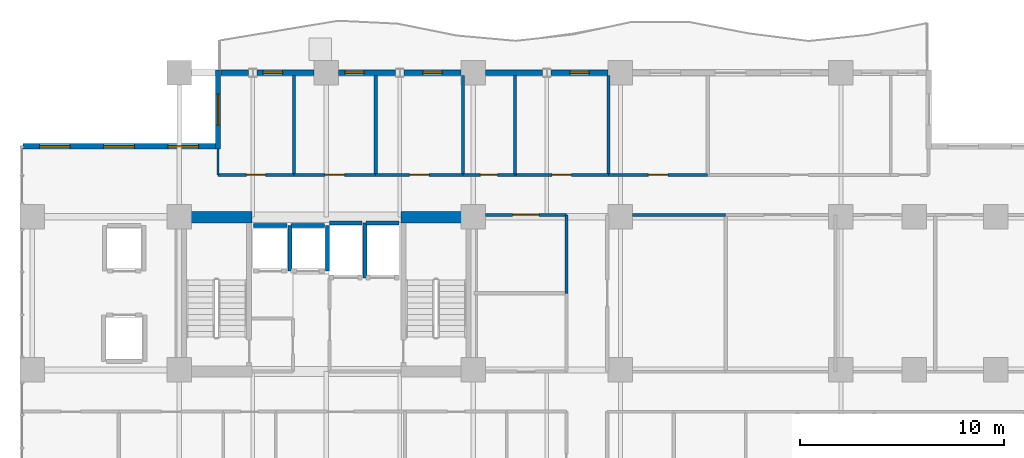
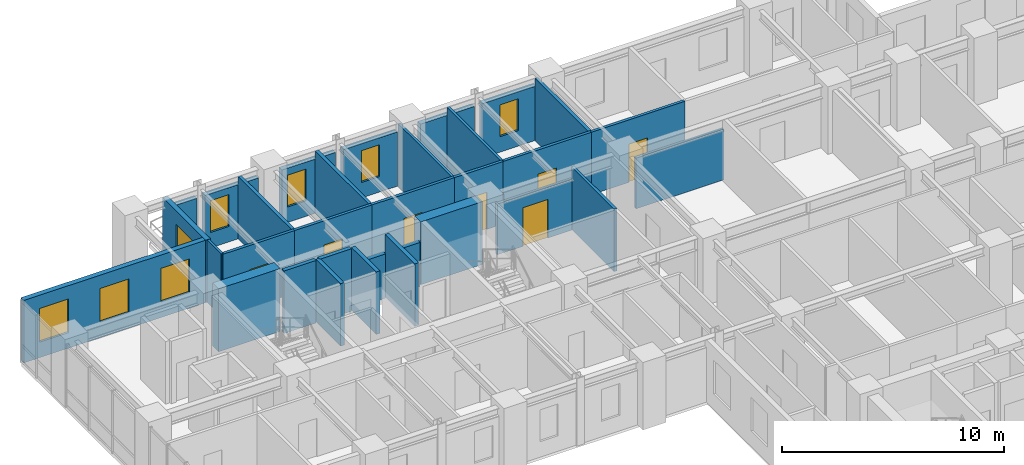
# One storey, part 12 of 18: 32 walls, 8 windows, 7 doors, 15 openings.
"""IFC4 building model written with IfcOpenShell, lengths in metres."""

from ifc_helpers import new_model, si_unit, direction, frame, frame_2d, origin, place, context, subcontext, project, spatial, rectangle, extrude, material, layer, layer_set, type_object, element, fill, save


model = new_model("IFC4")

# Units and contexts
model_context = context("Model", 3, precision=1e-05, world=origin(), true_north=direction((0.0, 1.0)))
body_context = subcontext(model_context, "Body", "Model", "MODEL_VIEW")
ifc_project = project(units=[si_unit("LENGTHUNIT", "METRE"), si_unit("AREAUNIT", "SQUARE_METRE"), si_unit("VOLUMEUNIT", "CUBIC_METRE"), si_unit("PLANEANGLEUNIT", "RADIAN"), si_unit("MASSUNIT", "GRAM", prefix="KILO")], contexts=[model_context])

# Site, building, storey
site_placement = place(None, origin())
site = spatial("IfcSite", under=ifc_project, at=site_placement, CompositionType="ELEMENT")
building_placement = place(site_placement, origin())
building = spatial("IfcBuilding", under=site, at=building_placement, Name="Kaliganga Portal Commons", CompositionType="ELEMENT")
storey_placement = place(building_placement, frame((0.0, 0.0, 123.0)))
storey = spatial("IfcBuildingStorey", under=building, at=storey_placement, Name="L31", CompositionType="ELEMENT", Elevation=123.0)

# Walls
ifc_material_1 = material(Name="Concrete C60/75", Category="concrete")
ifc_layer_1 = layer(ifc_material_1, 0.550048828125)
ifc_layer_set_1 = layer_set([ifc_layer_1], Name="Concrete C60/75")
wall_type_1 = type_object("IfcWallType", Name="WL-CORE-550", PredefinedType="SHEAR", material=ifc_layer_set_1)
for number, where, z_axis, x_axis, name in (
    (1, (14.75, 36.125, 0.0), (0.0, 0.0, 1.0), (1.0, 0.0, 0.0), "Core A N-West Shear Wall L31"),
    (2, (25.25, 36.125, 0.0), (0.0, 0.0, 1.0), (1.0, 0.0, 0.0), "Core A N-East Shear Wall L31"),
):
    element("IfcWall", number, at=place(storey_placement, frame(where, z_axis=z_axis, x_axis=x_axis)), inside=storey, type_object=wall_type_1, Name=name, PredefinedType="SHEAR", context=body_context, shape_type="SweptSolid", body=[
        extrude(rectangle(XDim=3.199951171875, YDim=0.550048828125, at=frame_2d((1.60009765625, 0.0))), origin(), (0.0, 0.0, 1.0), 3.449951171875),
    ])

# Wall, opening, window
ifc_material_2 = material(Name="Insulated Aluminium-Clad Spandrel Assembly", Category="aluminium")
ifc_layer_2 = layer(ifc_material_2, 0.260009765625)
ifc_layer_set_2 = layer_set([ifc_layer_2], Name="Insulated Aluminium-Clad Spandrel Assembly")
wall_type_2 = type_object("IfcWallType", Name="WL-EXT-SPAND-260", PredefinedType="STANDARD", material=ifc_layer_set_2)
wall_1_placement = place(storey_placement, frame((32.60546875, 43.199951171875, 0.0), z_axis=(0.0, 0.0, 1.0), x_axis=(1.0, 0.0, 0.0)))
wall_1 = element("IfcWall", 3, at=wall_1_placement, inside=storey, type_object=wall_type_2, Name="Exterior Envelope Wall L31 P1-E06-S3", PredefinedType="STANDARD", context=body_context, shape_type="SweptSolid", body=[
    extrude(rectangle(XDim=2.79345703125, YDim=0.260009765625, at=frame_2d((1.396728515625, 0.0))), origin(), (0.0, 0.0, 1.0), 2.97998046875),
])
opening_1_placement = place(wall_1_placement, frame((0.921875, 0.0, 0.85009765625)))
opening_1 = element("IfcOpeningElement", 4, at=opening_1_placement, cuts=wall_1, Name="Opening W-04", PredefinedType="OPENING", context=body_context, shape_type="SweptSolid", body=[
    extrude(rectangle(XDim=0.949951171875, YDim=1.75, at=frame_2d((0.47509765625, 0.875))), frame((0.0, 0.14013671875, 0.0), z_axis=(0.0, -1.0, 0.0), x_axis=(1.0, 0.0, 0.0)), (0.0, 0.0, 1.0), 0.280029296875),
])
ifc_material_3 = material(Name="Thermally Broken Aluminium and Low-E Double Glazing", Category="aluminium")
window_type_1 = type_object("IfcWindowType", Name="WIN-NARROW-950", PartitioningType="SINGLE_PANEL", PredefinedType="WINDOW", material=ifc_material_3)
window_1_placement = place(opening_1_placement, origin())
window_1 = element("IfcWindow", 5, at=window_1_placement, inside=storey, type_object=window_type_1, Name="Facade Window L31-P1E06S3-00", OverallHeight=1.75, OverallWidth=0.949951171875, PartitioningType="SINGLE_PANEL", PredefinedType="WINDOW", context=body_context, shape_type="SweptSolid", body=[
    extrude(rectangle(XDim=0.949951171875, YDim=1.75, at=frame_2d((0.47509765625, 0.875))), frame((0.0, 0.030029296875, 0.0), z_axis=(0.0, -1.0, 0.0), x_axis=(1.0, 0.0, 0.0)), (0.0, 0.0, 1.0), 0.06005859375),
])
fill(opening_1, window_1)

# Wall
wall_2_placement = place(storey_placement, frame((29.40087890625, 43.199951171875, 0.0), z_axis=(0.0, 0.0, 1.0), x_axis=(1.0, 0.0, 0.0)))
element("IfcWall", 6, at=wall_2_placement, inside=storey, type_object=wall_type_2, Name="Exterior Envelope Wall L31 P1-E06-S4", PredefinedType="STANDARD", context=body_context, shape_type="SweptSolid", body=[
    extrude(rectangle(XDim=2.793701171875, YDim=0.260009765625, at=frame_2d((1.39697265625, 0.0))), origin(), (0.0, 0.0, 1.0), 2.97998046875),
])

# Wall, opening, window
wall_3_placement = place(storey_placement, frame((25.405517578125, 43.199951171875, 0.0), z_axis=(0.0, 0.0, 1.0), x_axis=(1.0, 0.0, 0.0)))
wall_3 = element("IfcWall", 7, at=wall_3_placement, inside=storey, type_object=wall_type_2, Name="Exterior Envelope Wall L31 P1-E06-S5", PredefinedType="STANDARD", context=body_context, shape_type="SweptSolid", body=[
    extrude(rectangle(XDim=2.79345703125, YDim=0.260009765625, at=frame_2d((1.396728515625, 0.0))), origin(), (0.0, 0.0, 1.0), 2.97998046875),
])
opening_2_placement = place(wall_3_placement, frame((0.921875, 0.0, 0.85009765625)))
opening_2 = element("IfcOpeningElement", 8, at=opening_2_placement, cuts=wall_3, Name="Opening W-04", PredefinedType="OPENING", context=body_context, shape_type="SweptSolid", body=[
    extrude(rectangle(XDim=0.949951171875, YDim=1.75, at=frame_2d((0.47509765625, 0.875))), frame((0.0, 0.14013671875, 0.0), z_axis=(0.0, -1.0, 0.0), x_axis=(1.0, 0.0, 0.0)), (0.0, 0.0, 1.0), 0.280029296875),
])
window_2_placement = place(opening_2_placement, origin())
window_2 = element("IfcWindow", 9, at=window_2_placement, inside=storey, type_object=window_type_1, Name="Facade Window L31-P1E06S5-00", OverallHeight=1.75, OverallWidth=0.949951171875, PartitioningType="SINGLE_PANEL", PredefinedType="WINDOW", context=body_context, shape_type="SweptSolid", body=[
    extrude(rectangle(XDim=0.949951171875, YDim=1.75, at=frame_2d((0.47509765625, 0.875))), frame((0.0, 0.030029296875, 0.0), z_axis=(0.0, -1.0, 0.0), x_axis=(1.0, 0.0, 0.0)), (0.0, 0.0, 1.0), 0.06005859375),
])
fill(opening_2, window_2)

wall_4_placement = place(storey_placement, frame((22.200927734375, 43.199951171875, 0.0), z_axis=(0.0, 0.0, 1.0), x_axis=(1.0, 0.0, 0.0)))
wall_4 = element("IfcWall", 10, at=wall_4_placement, inside=storey, type_object=wall_type_2, Name="Exterior Envelope Wall L31 P1-E06-S6", PredefinedType="STANDARD", context=body_context, shape_type="SweptSolid", body=[
    extrude(rectangle(XDim=2.79345703125, YDim=0.260009765625, at=frame_2d((1.396728515625, 0.0))), origin(), (0.0, 0.0, 1.0), 2.97998046875),
])
opening_3_placement = place(wall_4_placement, frame((0.30712890625, 0.0, 0.85009765625)))
opening_3 = element("IfcOpeningElement", 11, at=opening_3_placement, cuts=wall_4, Name="Opening W-04", PredefinedType="OPENING", context=body_context, shape_type="SweptSolid", body=[
    extrude(rectangle(XDim=0.949951171875, YDim=1.75, at=frame_2d((0.47509765625, 0.875))), frame((0.0, 0.14013671875, 0.0), z_axis=(0.0, -1.0, 0.0), x_axis=(1.0, 0.0, 0.0)), (0.0, 0.0, 1.0), 0.280029296875),
])
window_3_placement = place(opening_3_placement, origin())
window_3 = element("IfcWindow", 12, at=window_3_placement, inside=storey, type_object=window_type_1, Name="Facade Window L31-P1E06S6-N3", OverallHeight=1.75, OverallWidth=0.949951171875, PartitioningType="SINGLE_PANEL", PredefinedType="WINDOW", context=body_context, shape_type="SweptSolid", body=[
    extrude(rectangle(XDim=0.949951171875, YDim=1.75, at=frame_2d((0.47509765625, 0.875))), frame((0.0, 0.030029296875, 0.0), z_axis=(0.0, -1.0, 0.0), x_axis=(1.0, 0.0, 0.0)), (0.0, 0.0, 1.0), 0.06005859375),
])
fill(opening_3, window_3)

wall_5_placement = place(storey_placement, frame((18.20556640625, 43.199951171875, 0.0), z_axis=(0.0, 0.0, 1.0), x_axis=(1.0, 0.0, 0.0)))
wall_5 = element("IfcWall", 13, at=wall_5_placement, inside=storey, type_object=wall_type_2, Name="Exterior Envelope Wall L31 P1-E06-S7", PredefinedType="STANDARD", context=body_context, shape_type="SweptSolid", body=[
    extrude(rectangle(XDim=2.79345703125, YDim=0.260009765625, at=frame_2d((1.396728515625, 0.0))), origin(), (0.0, 0.0, 1.0), 2.97998046875),
])
opening_4_placement = place(wall_5_placement, frame((0.30712890625, 0.0, 0.85009765625)))
opening_4 = element("IfcOpeningElement", 14, at=opening_4_placement, cuts=wall_5, Name="Opening W-04", PredefinedType="OPENING", context=body_context, shape_type="SweptSolid", body=[
    extrude(rectangle(XDim=0.949951171875, YDim=1.75, at=frame_2d((0.47509765625, 0.875))), frame((0.0, 0.14013671875, 0.0), z_axis=(0.0, -1.0, 0.0), x_axis=(1.0, 0.0, 0.0)), (0.0, 0.0, 1.0), 0.280029296875),
])
window_4_placement = place(opening_4_placement, origin())
window_4 = element("IfcWindow", 15, at=window_4_placement, inside=storey, type_object=window_type_1, Name="Facade Window L31-P1E06S7-N3", OverallHeight=1.75, OverallWidth=0.949951171875, PartitioningType="SINGLE_PANEL", PredefinedType="WINDOW", context=body_context, shape_type="SweptSolid", body=[
    extrude(rectangle(XDim=0.949951171875, YDim=1.75, at=frame_2d((0.47509765625, 0.875))), frame((0.0, 0.030029296875, 0.0), z_axis=(0.0, -1.0, 0.0), x_axis=(1.0, 0.0, 0.0)), (0.0, 0.0, 1.0), 0.06005859375),
])
fill(opening_4, window_4)

# Wall
wall_6_placement = place(storey_placement, frame((16.43505859375, 43.199951171875, 0.0), z_axis=(0.0, 0.0, 1.0), x_axis=(1.0, 0.0, 0.0)))
element("IfcWall", 16, at=wall_6_placement, inside=storey, type_object=wall_type_2, Name="Exterior Envelope Wall L31 P1-E06-S8", PredefinedType="STANDARD", context=body_context, shape_type="SweptSolid", body=[
    extrude(rectangle(XDim=1.359375, YDim=0.260009765625, at=frame_2d((0.6796875, 0.0))), origin(), (0.0, 0.0, 1.0), 2.97998046875),
])

# Wall, opening, window
wall_7_placement = place(storey_placement, frame((16.300048828125, 39.469970703125, 0.0), z_axis=(0.0, 0.0, 1.0), x_axis=(0.0, 1.0, 0.0)))
wall_7 = element("IfcWall", 17, at=wall_7_placement, inside=storey, type_object=wall_type_2, Name="Exterior Envelope Wall L31 P1-E07-S1", PredefinedType="STANDARD", context=body_context, shape_type="SweptSolid", body=[
    extrude(rectangle(XDim=3.860107421875, YDim=0.260009765625, at=frame_2d((1.93017578125, 0.0))), origin(), (0.0, 0.0, 1.0), 3.429931640625),
])
opening_5_placement = place(wall_7_placement, frame((1.179931640625, 0.0, 0.85009765625)))
opening_5 = element("IfcOpeningElement", 18, at=opening_5_placement, cuts=wall_7, Name="Opening W-02", PredefinedType="OPENING", context=body_context, shape_type="SweptSolid", body=[
    extrude(rectangle(XDim=1.5, YDim=1.85009765625, at=frame_2d((0.75, 0.925048828125))), frame((0.0, 0.14013671875, 0.0), z_axis=(0.0, -1.0, 0.0), x_axis=(1.0, 0.0, 0.0)), (0.0, 0.0, 1.0), 0.280029296875),
])
window_type_2 = type_object("IfcWindowType", Name="WIN-STD-1500", PartitioningType="DOUBLE_PANEL_VERTICAL", PredefinedType="WINDOW", material=ifc_material_3)
window_5_placement = place(opening_5_placement, origin())
window_5 = element("IfcWindow", 19, at=window_5_placement, inside=storey, type_object=window_type_2, Name="Facade Window L31-P1E07S1-00", OverallHeight=1.85009765625, OverallWidth=1.5, PartitioningType="SINGLE_PANEL", PredefinedType="WINDOW", context=body_context, shape_type="SweptSolid", body=[
    extrude(rectangle(XDim=1.5, YDim=1.85009765625, at=frame_2d((0.75, 0.925048828125))), frame((0.0, 0.030029296875, 0.0), z_axis=(0.0, -1.0, 0.0), x_axis=(1.0, 0.0, 0.0)), (0.0, 0.0, 1.0), 0.06005859375),
])
fill(opening_5, window_5)

# Wall, openings, windows
wall_8_placement = place(storey_placement, frame((6.737060546875, 39.60009765625, 0.0), z_axis=(0.0, 0.0, 1.0), x_axis=(1.0, 0.0, 0.0)))
wall_8 = element("IfcWall", 20, at=wall_8_placement, inside=storey, type_object=wall_type_2, Name="Exterior Envelope Wall L31 P1-E08-S1", PredefinedType="STANDARD", context=body_context, shape_type="SweptSolid", body=[
    extrude(rectangle(XDim=9.427978515625, YDim=0.260009765625, at=frame_2d((4.7138671875, 0.0))), origin(), (0.0, 0.0, 1.0), 3.429931640625),
])
opening_6_placement = place(wall_8_placement, frame((0.8212890625, 0.0, 0.85009765625)))
opening_6 = element("IfcOpeningElement", 21, at=opening_6_placement, cuts=wall_8, Name="Opening W-02", PredefinedType="OPENING", context=body_context, shape_type="SweptSolid", body=[
    extrude(rectangle(XDim=1.5, YDim=1.85009765625, at=frame_2d((0.75, 0.925048828125))), frame((0.0, 0.14013671875, 0.0), z_axis=(0.0, -1.0, 0.0), x_axis=(1.0, 0.0, 0.0)), (0.0, 0.0, 1.0), 0.280029296875),
])
opening_7_placement = place(wall_8_placement, frame((3.964111328125, 0.0, 0.85009765625)))
opening_7 = element("IfcOpeningElement", 22, at=opening_7_placement, cuts=wall_8, Name="Opening W-02", PredefinedType="OPENING", context=body_context, shape_type="SweptSolid", body=[
    extrude(rectangle(XDim=1.5, YDim=1.85009765625, at=frame_2d((0.75, 0.925048828125))), frame((0.0, 0.14013671875, 0.0), z_axis=(0.0, -1.0, 0.0), x_axis=(1.0, 0.0, 0.0)), (0.0, 0.0, 1.0), 0.280029296875),
])
opening_8_placement = place(wall_8_placement, frame((7.106689453125, 0.0, 0.85009765625)))
opening_8 = element("IfcOpeningElement", 23, at=opening_8_placement, cuts=wall_8, Name="Opening W-02", PredefinedType="OPENING", context=body_context, shape_type="SweptSolid", body=[
    extrude(rectangle(XDim=1.5, YDim=1.85009765625, at=frame_2d((0.75, 0.925048828125))), frame((0.0, 0.14013671875, 0.0), z_axis=(0.0, -1.0, 0.0), x_axis=(1.0, 0.0, 0.0)), (0.0, 0.0, 1.0), 0.280029296875),
])
window_6_placement = place(opening_6_placement, origin())
window_6 = element("IfcWindow", 24, at=window_6_placement, inside=storey, type_object=window_type_2, Name="Facade Window L31-P1E08S1-00", OverallHeight=1.85009765625, OverallWidth=1.5, PartitioningType="SINGLE_PANEL", PredefinedType="WINDOW", context=body_context, shape_type="SweptSolid", body=[
    extrude(rectangle(XDim=1.5, YDim=1.85009765625, at=frame_2d((0.75, 0.925048828125))), frame((0.0, 0.030029296875, 0.0), z_axis=(0.0, -1.0, 0.0), x_axis=(1.0, 0.0, 0.0)), (0.0, 0.0, 1.0), 0.06005859375),
])
fill(opening_6, window_6)
window_7_placement = place(opening_7_placement, origin())
window_7 = element("IfcWindow", 25, at=window_7_placement, inside=storey, type_object=window_type_2, Name="Facade Window L31-P1E08S1-01", OverallHeight=1.85009765625, OverallWidth=1.5, PartitioningType="SINGLE_PANEL", PredefinedType="WINDOW", context=body_context, shape_type="SweptSolid", body=[
    extrude(rectangle(XDim=1.5, YDim=1.85009765625, at=frame_2d((0.75, 0.925048828125))), frame((0.0, 0.030029296875, 0.0), z_axis=(0.0, -1.0, 0.0), x_axis=(1.0, 0.0, 0.0)), (0.0, 0.0, 1.0), 0.06005859375),
])
fill(opening_7, window_7)
window_8_placement = place(opening_8_placement, origin())
window_8 = element("IfcWindow", 26, at=window_8_placement, inside=storey, type_object=window_type_2, Name="Facade Window L31-P1E08S1-02", OverallHeight=1.85009765625, OverallWidth=1.5, PartitioningType="SINGLE_PANEL", PredefinedType="WINDOW", context=body_context, shape_type="SweptSolid", body=[
    extrude(rectangle(XDim=1.5, YDim=1.85009765625, at=frame_2d((0.75, 0.925048828125))), frame((0.0, 0.030029296875, 0.0), z_axis=(0.0, -1.0, 0.0), x_axis=(1.0, 0.0, 0.0)), (0.0, 0.0, 1.0), 0.06005859375),
])
fill(opening_8, window_8)

# Wall
ifc_material_4 = material(Name="Fire-Rated Gypsum Board on Steel Stud", Category="steel")
ifc_layer_3 = layer(ifc_material_4, 0.14990234375)
ifc_layer_set_3 = layer_set([ifc_layer_3], Name="Fire-Rated Gypsum Board on Steel Stud")
wall_type_3 = type_object("IfcWallType", Name="WL-PART-CORR-150", PredefinedType="PARTITIONING", material=ifc_layer_set_3)
wall_9_placement = place(storey_placement, frame((36.60009765625, 36.239990234375, 0.0), z_axis=(0.0, 0.0, 1.0), x_axis=(1.0, 0.0, 0.0)))
element("IfcWall", 27, at=wall_9_placement, inside=storey, type_object=wall_type_3, Name="Interior Partition L31-013", PredefinedType="PARTITIONING", context=body_context, shape_type="SweptSolid", body=[
    extrude(rectangle(XDim=4.559814453125, YDim=0.14990234375, at=frame_2d((2.27978515625, 0.0))), origin(), (0.0, 0.0, 1.0), 2.780029296875),
])

# Wall, opening, door
wall_10_placement = place(storey_placement, frame((35.419921875, 38.199951171875, 0.0), z_axis=(0.0, 0.0, 1.0), x_axis=(1.0, 0.0, 0.0)))
wall_10 = element("IfcWall", 28, at=wall_10_placement, inside=storey, type_object=wall_type_3, Name="Interior Partition L31-021", PredefinedType="PARTITIONING", context=body_context, shape_type="SweptSolid", body=[
    extrude(rectangle(XDim=4.860107421875, YDim=0.14990234375, at=frame_2d((2.43017578125, 0.0))), origin(), (0.0, 0.0, 1.0), 3.429931640625),
])
opening_9_placement = place(wall_10_placement, frame((1.955078125, 0.0, 0.0)))
opening_9 = element("IfcOpeningElement", 29, at=opening_9_placement, cuts=wall_10, Name="Opening UD-01", PredefinedType="OPENING", context=body_context, shape_type="SweptSolid", body=[
    extrude(rectangle(XDim=0.949951171875, YDim=2.10009765625, at=frame_2d((0.47509765625, 1.050048828125))), frame((0.0, 0.0849609375, 0.0), z_axis=(0.0, -1.0, 0.0), x_axis=(1.0, 0.0, 0.0)), (0.0, 0.0, 1.0), 0.169921875),
])
ifc_material_5 = material(Name="Solid-Core Timber Acoustic Fire Door", Category="wood")
door_type_1 = type_object("IfcDoorType", Name="DR-UNIT-950", OperationType="NOTDEFINED", PredefinedType="DOOR", material=ifc_material_5)
door_1_placement = place(opening_9_placement, origin())
door_1 = element("IfcDoor", 30, at=door_1_placement, inside=storey, type_object=door_type_1, Name="Interior Door L31-AN06", OperationType="SINGLE_SWING_RIGHT", OverallHeight=2.10009765625, OverallWidth=0.949951171875, PredefinedType="DOOR", context=body_context, shape_type="SweptSolid", body=[
    extrude(rectangle(XDim=0.949951171875, YDim=2.10009765625, at=frame_2d((0.47509765625, 1.050048828125))), frame((0.0, 0.02490234375, 0.0), z_axis=(0.0, -1.0, 0.0), x_axis=(1.0, 0.0, 0.0)), (0.0, 0.0, 1.0), 0.050048828125),
])
fill(opening_9, door_1)

wall_11_placement = place(storey_placement, frame((30.840087890625, 38.199951171875, 0.0), z_axis=(0.0, 0.0, 1.0), x_axis=(1.0, 0.0, 0.0)))
wall_11 = element("IfcWall", 31, at=wall_11_placement, inside=storey, type_object=wall_type_3, Name="Interior Partition L31-023", PredefinedType="PARTITIONING", context=body_context, shape_type="SweptSolid", body=[
    extrude(rectangle(XDim=4.579833984375, YDim=0.14990234375, at=frame_2d((2.2900390625, 0.0))), origin(), (0.0, 0.0, 1.0), 3.429931640625),
])
opening_10_placement = place(wall_11_placement, frame((1.81494140625, 0.0, 0.0)))
opening_10 = element("IfcOpeningElement", 32, at=opening_10_placement, cuts=wall_11, Name="Opening UD-01", PredefinedType="OPENING", context=body_context, shape_type="SweptSolid", body=[
    extrude(rectangle(XDim=0.949951171875, YDim=2.10009765625, at=frame_2d((0.47509765625, 1.050048828125))), frame((0.0, 0.0849609375, 0.0), z_axis=(0.0, -1.0, 0.0), x_axis=(1.0, 0.0, 0.0)), (0.0, 0.0, 1.0), 0.169921875),
])
door_2_placement = place(opening_10_placement, origin())
door_2 = element("IfcDoor", 33, at=door_2_placement, inside=storey, type_object=door_type_1, Name="Interior Door L31-AN05", OperationType="SINGLE_SWING_RIGHT", OverallHeight=2.10009765625, OverallWidth=0.949951171875, PredefinedType="DOOR", context=body_context, shape_type="SweptSolid", body=[
    extrude(rectangle(XDim=0.949951171875, YDim=2.10009765625, at=frame_2d((0.47509765625, 1.050048828125))), frame((0.0, 0.02490234375, 0.0), z_axis=(0.0, -1.0, 0.0), x_axis=(1.0, 0.0, 0.0)), (0.0, 0.0, 1.0), 0.050048828125),
])
fill(opening_10, door_2)

wall_12_placement = place(storey_placement, frame((29.39990234375, 36.239990234375, 0.0), z_axis=(0.0, 0.0, 1.0), x_axis=(1.0, 0.0, 0.0)))
wall_12 = element("IfcWall", 34, at=wall_12_placement, inside=storey, type_object=wall_type_3, Name="Interior Partition L31-025", PredefinedType="PARTITIONING", context=body_context, shape_type="SweptSolid", body=[
    extrude(rectangle(XDim=3.960205078125, YDim=0.14990234375, at=frame_2d((1.97998046875, 0.0))), origin(), (0.0, 0.0, 1.0), 2.780029296875),
])
opening_11_placement = place(wall_12_placement, frame((1.330078125, 0.0, 0.0)))
opening_11 = element("IfcOpeningElement", 35, at=opening_11_placement, cuts=wall_12, Name="Opening RD-03", PredefinedType="OPENING", context=body_context, shape_type="SweptSolid", body=[
    extrude(rectangle(XDim=1.300048828125, YDim=2.1201171875, at=frame_2d((0.64990234375, 1.06005859375))), frame((0.0, 0.0849609375, 0.0), z_axis=(0.0, -1.0, 0.0), x_axis=(1.0, 0.0, 0.0)), (0.0, 0.0, 1.0), 0.169921875),
])
ifc_material_6 = material(Name="Glazed Timber Seminar Vision Door", Category="wood")
door_type_2 = type_object("IfcDoorType", Name="DR-STUDY-1300", OperationType="DOUBLE_DOOR_SINGLE_SWING", PredefinedType="DOOR", material=ifc_material_6)
door_3_placement = place(opening_11_placement, origin())
door_3 = element("IfcDoor", 36, at=door_3_placement, inside=storey, type_object=door_type_2, Name="Interior Door L31-CSRV_A2", OperationType="DOUBLE_DOOR_SINGLE_SWING", OverallHeight=2.1201171875, OverallWidth=1.300048828125, PredefinedType="DOOR", context=body_context, shape_type="SweptSolid", body=[
    extrude(rectangle(XDim=1.300048828125, YDim=2.1201171875, at=frame_2d((0.64990234375, 1.06005859375))), frame((0.0, 0.02490234375, 0.0), z_axis=(0.0, -1.0, 0.0), x_axis=(1.0, 0.0, 0.0)), (0.0, 0.0, 1.0), 0.050048828125),
])
fill(opening_11, door_3)

wall_13_placement = place(storey_placement, frame((24.02001953125, 38.199951171875, 0.0), z_axis=(0.0, 0.0, 1.0), x_axis=(1.0, 0.0, 0.0)))
wall_13 = element("IfcWall", 37, at=wall_13_placement, inside=storey, type_object=wall_type_3, Name="Interior Partition L31-026", PredefinedType="PARTITIONING", context=body_context, shape_type="SweptSolid", body=[
    extrude(rectangle(XDim=4.280029296875, YDim=0.14990234375, at=frame_2d((2.14013671875, 0.0))), origin(), (0.0, 0.0, 1.0), 3.429931640625),
])
opening_12_placement = place(wall_13_placement, frame((1.6650390625, 0.0, 0.0)))
opening_12 = element("IfcOpeningElement", 38, at=opening_12_placement, cuts=wall_13, Name="Opening UD-01", PredefinedType="OPENING", context=body_context, shape_type="SweptSolid", body=[
    extrude(rectangle(XDim=0.949951171875, YDim=2.10009765625, at=frame_2d((0.47509765625, 1.050048828125))), frame((0.0, 0.0849609375, 0.0), z_axis=(0.0, -1.0, 0.0), x_axis=(1.0, 0.0, 0.0)), (0.0, 0.0, 1.0), 0.169921875),
])
door_4_placement = place(opening_12_placement, origin())
door_4 = element("IfcDoor", 39, at=door_4_placement, inside=storey, type_object=door_type_1, Name="Interior Door L31-AN03", OperationType="SINGLE_SWING_LEFT", OverallHeight=2.10009765625, OverallWidth=0.949951171875, PredefinedType="DOOR", context=body_context, shape_type="SweptSolid", body=[
    extrude(rectangle(XDim=0.949951171875, YDim=2.10009765625, at=frame_2d((0.47509765625, 1.050048828125))), frame((0.0, 0.02490234375, 0.0), z_axis=(0.0, -1.0, 0.0), x_axis=(1.0, 0.0, 0.0)), (0.0, 0.0, 1.0), 0.050048828125),
])
fill(opening_12, door_4)

wall_14_placement = place(storey_placement, frame((20.02001953125, 38.199951171875, 0.0), z_axis=(0.0, 0.0, 1.0), x_axis=(1.0, 0.0, 0.0)))
wall_14 = element("IfcWall", 40, at=wall_14_placement, inside=storey, type_object=wall_type_3, Name="Interior Partition L31-027", PredefinedType="PARTITIONING", context=body_context, shape_type="SweptSolid", body=[
    extrude(rectangle(XDim=4.0, YDim=0.14990234375, at=frame_2d((2.0, 0.0))), origin(), (0.0, 0.0, 1.0), 3.429931640625),
])
opening_13_placement = place(wall_14_placement, frame((1.52490234375, 0.0, 0.0)))
opening_13 = element("IfcOpeningElement", 41, at=opening_13_placement, cuts=wall_14, Name="Opening UD-01", PredefinedType="OPENING", context=body_context, shape_type="SweptSolid", body=[
    extrude(rectangle(XDim=0.949951171875, YDim=2.10009765625, at=frame_2d((0.47509765625, 1.050048828125))), frame((0.0, 0.0849609375, 0.0), z_axis=(0.0, -1.0, 0.0), x_axis=(1.0, 0.0, 0.0)), (0.0, 0.0, 1.0), 0.169921875),
])
door_5_placement = place(opening_13_placement, origin())
door_5 = element("IfcDoor", 42, at=door_5_placement, inside=storey, type_object=door_type_1, Name="Interior Door L31-AN02", OperationType="SINGLE_SWING_RIGHT", OverallHeight=2.10009765625, OverallWidth=0.949951171875, PredefinedType="DOOR", context=body_context, shape_type="SweptSolid", body=[
    extrude(rectangle(XDim=0.949951171875, YDim=2.10009765625, at=frame_2d((0.47509765625, 1.050048828125))), frame((0.0, 0.02490234375, 0.0), z_axis=(0.0, -1.0, 0.0), x_axis=(1.0, 0.0, 0.0)), (0.0, 0.0, 1.0), 0.050048828125),
])
fill(opening_13, door_5)

# Wall
wall_15_placement = place(storey_placement, frame((33.360107421875, 32.39990234375, 0.0), z_axis=(0.0, 0.0, 1.0), x_axis=(0.0, 1.0, 0.0)))
element("IfcWall", 43, at=wall_15_placement, inside=storey, type_object=wall_type_3, Name="Interior Partition L31-028", PredefinedType="PARTITIONING", context=body_context, shape_type="SweptSolid", body=[
    extrude(rectangle(XDim=3.840087890625, YDim=0.14990234375, at=frame_2d((1.919921875, 0.0))), origin(), (0.0, 0.0, 1.0), 3.429931640625),
])

# Wall, opening, door
wall_16_placement = place(storey_placement, frame((16.300048828125, 38.199951171875, 0.0), z_axis=(0.0, 0.0, 1.0), x_axis=(1.0, 0.0, 0.0)))
wall_16 = element("IfcWall", 44, at=wall_16_placement, inside=storey, type_object=wall_type_3, Name="Interior Partition L31-031", PredefinedType="PARTITIONING", context=body_context, shape_type="SweptSolid", body=[
    extrude(rectangle(XDim=3.719970703125, YDim=0.14990234375, at=frame_2d((1.85986328125, 0.0))), origin(), (0.0, 0.0, 1.0), 3.429931640625),
])
opening_14_placement = place(wall_16_placement, frame((1.385009765625, 0.0, 0.0)))
opening_14 = element("IfcOpeningElement", 45, at=opening_14_placement, cuts=wall_16, Name="Opening UD-01", PredefinedType="OPENING", context=body_context, shape_type="SweptSolid", body=[
    extrude(rectangle(XDim=0.949951171875, YDim=2.10009765625, at=frame_2d((0.47509765625, 1.050048828125))), frame((0.0, 0.0849609375, 0.0), z_axis=(0.0, -1.0, 0.0), x_axis=(1.0, 0.0, 0.0)), (0.0, 0.0, 1.0), 0.169921875),
])
door_6_placement = place(opening_14_placement, origin())
door_6 = element("IfcDoor", 46, at=door_6_placement, inside=storey, type_object=door_type_1, Name="Interior Door L31-AN01", OperationType="SINGLE_SWING_RIGHT", OverallHeight=2.10009765625, OverallWidth=0.949951171875, PredefinedType="DOOR", context=body_context, shape_type="SweptSolid", body=[
    extrude(rectangle(XDim=0.949951171875, YDim=2.10009765625, at=frame_2d((0.47509765625, 1.050048828125))), frame((0.0, 0.02490234375, 0.0), z_axis=(0.0, -1.0, 0.0), x_axis=(1.0, 0.0, 0.0)), (0.0, 0.0, 1.0), 0.050048828125),
])
fill(opening_14, door_6)

wall_17_placement = place(storey_placement, frame((28.300048828125, 38.199951171875, 0.0), z_axis=(0.0, 0.0, 1.0), x_axis=(1.0, 0.0, 0.0)))
wall_17 = element("IfcWall", 47, at=wall_17_placement, inside=storey, type_object=wall_type_3, Name="Interior Partition L31-038", PredefinedType="PARTITIONING", context=body_context, shape_type="SweptSolid", body=[
    extrude(rectangle(XDim=2.5400390625, YDim=0.14990234375, at=frame_2d((1.27001953125, 0.0))), origin(), (0.0, 0.0, 1.0), 3.429931640625),
])
opening_15_placement = place(wall_17_placement, frame((0.844970703125, 0.0, 0.0)))
opening_15 = element("IfcOpeningElement", 48, at=opening_15_placement, cuts=wall_17, Name="Opening WD-01", PredefinedType="OPENING", context=body_context, shape_type="SweptSolid", body=[
    extrude(rectangle(XDim=0.85009765625, YDim=2.0400390625, at=frame_2d((0.425048828125, 1.02001953125))), frame((0.0, 0.0849609375, 0.0), z_axis=(0.0, -1.0, 0.0), x_axis=(1.0, 0.0, 0.0)), (0.0, 0.0, 1.0), 0.169921875),
])
ifc_material_7 = material(Name="Moisture-Resistant Laminate Timber Door", Category="wood")
door_type_3 = type_object("IfcDoorType", Name="DR-WET-850", OperationType="NOTDEFINED", PredefinedType="DOOR", material=ifc_material_7)
door_7_placement = place(opening_15_placement, origin())
door_7 = element("IfcDoor", 49, at=door_7_placement, inside=storey, type_object=door_type_3, Name="Interior Door L31-AN04", OperationType="SINGLE_SWING_LEFT", OverallHeight=2.0400390625, OverallWidth=0.85009765625, PredefinedType="DOOR", context=body_context, shape_type="SweptSolid", body=[
    extrude(rectangle(XDim=0.85009765625, YDim=2.0400390625, at=frame_2d((0.425048828125, 1.02001953125))), frame((0.0, 0.02490234375, 0.0), z_axis=(0.0, -1.0, 0.0), x_axis=(1.0, 0.0, 0.0)), (0.0, 0.0, 1.0), 0.050048828125),
])
fill(opening_15, door_7)

# Walls
ifc_material_8 = material(Name="Moisture-Resistant Gypsum Partition", Category="gypsum")
ifc_layer_4 = layer(ifc_material_8, 0.114990234375)
ifc_layer_set_4 = layer_set([ifc_layer_4], Name="Moisture-Resistant Gypsum Partition")
wall_type_4 = type_object("IfcWallType", Name="WL-PART-ROOM-115", PredefinedType="PARTITIONING", material=ifc_layer_set_4)
wall_18_placement = place(storey_placement, frame((16.300048828125, 38.199951171875, 0.0), z_axis=(0.0, 0.0, 1.0), x_axis=(0.0, 1.0, 0.0)))
element("IfcWall", 50, at=wall_18_placement, inside=storey, type_object=wall_type_4, Name="Interior Partition L31-057", PredefinedType="PARTITIONING", context=body_context, shape_type="SweptSolid", body=[
    extrude(rectangle(XDim=1.26806640625, YDim=0.114990234375, at=frame_2d((0.634033203125, 0.0))), origin(), (0.0, 0.0, 1.0), 3.429931640625),
])
ifc_material_9 = material(Name="Twin-Stud Acoustic Gypsum Partition", Category="gypsum")
ifc_layer_5 = layer(ifc_material_9, 0.1650390625)
ifc_layer_set_5 = layer_set([ifc_layer_5], Name="Twin-Stud Acoustic Gypsum Partition")
wall_type_5 = type_object("IfcWallType", Name="WL-PART-UNIT-165", PredefinedType="PARTITIONING", material=ifc_layer_set_5)
for number, where, z_axis, x_axis, name in (
    (51, (20.02001953125, 38.199951171875, 0.0), (0.0, 0.0, 1.0), (0.0, 1.0, 0.0), "Interior Partition L31-060"),
    (52, (24.02001953125, 38.199951171875, 0.0), (0.0, 0.0, 1.0), (0.0, 1.0, 0.0), "Interior Partition L31-061"),
    (53, (35.419921875, 38.199951171875, 0.0), (0.0, 0.0, 1.0), (0.0, 1.0, 0.0), "Interior Partition L31-066"),
):
    element("IfcWall", number, at=place(storey_placement, frame(where, z_axis=z_axis, x_axis=x_axis)), inside=storey, type_object=wall_type_5, Name=name, PredefinedType="PARTITIONING", context=body_context, shape_type="SweptSolid", body=[
        extrude(rectangle(XDim=4.8681640625, YDim=0.1650390625, at=frame_2d((2.43408203125, 0.0))), origin(), (0.0, 0.0, 1.0), 3.429931640625),
    ])
ifc_material_10 = material(Name="Cement-Board Wet-Room Partition", Category="gypsum")
ifc_layer_6 = layer(ifc_material_10, 0.135009765625)
ifc_layer_set_6 = layer_set([ifc_layer_6], Name="Cement-Board Wet-Room Partition")
wall_type_6 = type_object("IfcWallType", Name="WL-PART-WET-135", PredefinedType="PARTITIONING", material=ifc_layer_set_6)
for number, where, z_axis, x_axis, name in (
    (54, (28.300048828125, 38.199951171875, 0.0), (0.0, 0.0, 1.0), (0.0, 1.0, 0.0), "Interior Partition L31-063"),
    (55, (30.840087890625, 38.199951171875, 0.0), (0.0, 0.0, 1.0), (0.0, 1.0, 0.0), "Interior Partition L31-065"),
):
    element("IfcWall", number, at=place(storey_placement, frame(where, z_axis=z_axis, x_axis=x_axis)), inside=storey, type_object=wall_type_6, Name=name, PredefinedType="PARTITIONING", context=body_context, shape_type="SweptSolid", body=[
        extrude(rectangle(XDim=4.8681640625, YDim=0.135009765625, at=frame_2d((2.43408203125, 0.0))), origin(), (0.0, 0.0, 1.0), 3.429931640625),
    ])
ifc_material_11 = material(Name="Fire-Rated Shaftwall Masonry Assembly", Category="masonry")
ifc_layer_7 = layer(ifc_material_11, 0.199951171875)
ifc_layer_set_7 = layer_set([ifc_layer_7], Name="Fire-Rated Shaftwall Masonry Assembly")
wall_type_7 = type_object("IfcWallType", Name="WL-SHAFT-200", PredefinedType="PARTITIONING", material=ifc_layer_set_7)
wall_19_placement = place(storey_placement, frame((18.02490234375, 35.715087890625, 0.0), z_axis=(0.0, 0.0, 1.0), x_axis=(1.0, 0.0, 0.0)))
element("IfcWall", 56, at=wall_19_placement, inside=storey, type_object=wall_type_7, Name="Lift PL-A1 Hoistway Shaft Wall L31-N", PredefinedType="PARTITIONING", context=body_context, shape_type="SweptSolid", body=[
    extrude(rectangle(XDim=1.650146484375, YDim=0.199951171875, at=frame_2d((0.8251953125, 0.0))), origin(), (0.0, 0.0, 1.0), 3.429931640625),
])
wall_20_placement = place(storey_placement, frame((19.81494140625, 33.485107421875, 0.0), z_axis=(0.0, 0.0, 1.0), x_axis=(0.0, 1.0, 0.0)))
element("IfcWall", 57, at=wall_20_placement, inside=storey, type_object=wall_type_7, Name="Lift PL-A1 Hoistway Shaft Wall L31-E", PredefinedType="PARTITIONING", context=body_context, shape_type="SweptSolid", body=[
    extrude(rectangle(XDim=2.22998046875, YDim=0.199951171875, at=frame_2d((1.114990234375, 0.0))), origin(), (0.0, 0.0, 1.0), 3.429931640625),
])
wall_21_placement = place(storey_placement, frame((19.875, 35.715087890625, 0.0), z_axis=(0.0, 0.0, 1.0), x_axis=(1.0, 0.0, 0.0)))
element("IfcWall", 58, at=wall_21_placement, inside=storey, type_object=wall_type_7, Name="Lift PL-A2 Hoistway Shaft Wall L31-N", PredefinedType="PARTITIONING", context=body_context, shape_type="SweptSolid", body=[
    extrude(rectangle(XDim=1.64990234375, YDim=0.199951171875, at=frame_2d((0.824951171875, 0.0))), origin(), (0.0, 0.0, 1.0), 3.429931640625),
])
wall_22_placement = place(storey_placement, frame((21.6650390625, 33.485107421875, 0.0), z_axis=(0.0, 0.0, 1.0), x_axis=(0.0, 1.0, 0.0)))
element("IfcWall", 59, at=wall_22_placement, inside=storey, type_object=wall_type_7, Name="Lift PL-A2 Hoistway Shaft Wall L31-E", PredefinedType="PARTITIONING", context=body_context, shape_type="SweptSolid", body=[
    extrude(rectangle(XDim=2.22998046875, YDim=0.199951171875, at=frame_2d((1.114990234375, 0.0))), origin(), (0.0, 0.0, 1.0), 3.429931640625),
])
wall_23_placement = place(storey_placement, frame((21.75, 35.840087890625, 0.0), z_axis=(0.0, 0.0, 1.0), x_axis=(1.0, 0.0, 0.0)))
element("IfcWall", 60, at=wall_23_placement, inside=storey, type_object=wall_type_7, Name="Lift FFL-1 Hoistway Shaft Wall L31-N", PredefinedType="PARTITIONING", context=body_context, shape_type="SweptSolid", body=[
    extrude(rectangle(XDim=1.60009765625, YDim=0.199951171875, at=frame_2d((0.800048828125, 0.0))), origin(), (0.0, 0.0, 1.0), 2.429931640625),
])
wall_24_placement = place(storey_placement, frame((23.489990234375, 33.159912109375, 0.0), z_axis=(0.0, 0.0, 1.0), x_axis=(0.0, 1.0, 0.0)))
element("IfcWall", 61, at=wall_24_placement, inside=storey, type_object=wall_type_7, Name="Lift FFL-1 Hoistway Shaft Wall L31-E", PredefinedType="PARTITIONING", context=body_context, shape_type="SweptSolid", body=[
    extrude(rectangle(XDim=2.68017578125, YDim=0.199951171875, at=frame_2d((1.340087890625, 0.0))), origin(), (0.0, 0.0, 1.0), 3.429931640625),
])
wall_25_placement = place(storey_placement, frame((23.550048828125, 35.840087890625, 0.0), z_axis=(0.0, 0.0, 1.0), x_axis=(1.0, 0.0, 0.0)))
element("IfcWall", 62, at=wall_25_placement, inside=storey, type_object=wall_type_7, Name="Lift FFL-2 Hoistway Shaft Wall L31-N", PredefinedType="PARTITIONING", context=body_context, shape_type="SweptSolid", body=[
    extrude(rectangle(XDim=1.599853515625, YDim=0.199951171875, at=frame_2d((0.7998046875, 0.0))), origin(), (0.0, 0.0, 1.0), 2.429931640625),
])

save(model, "model.ifc")
